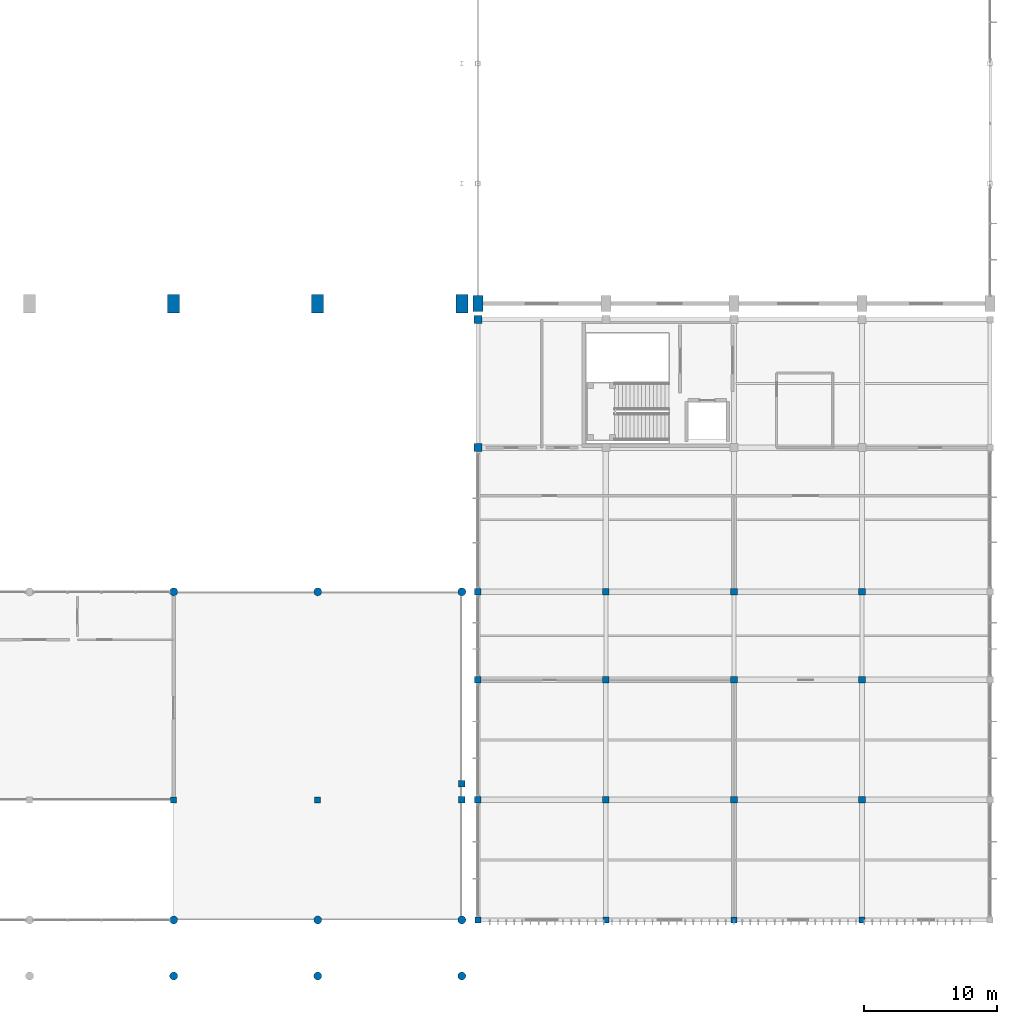
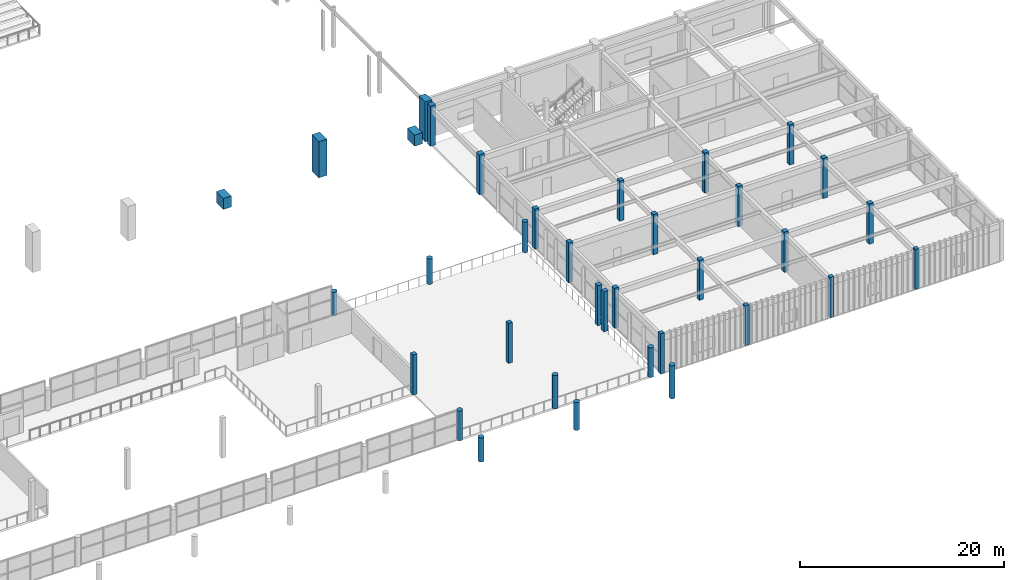
# One storey, part 6 of 74: 35 columns.
"""IFC4 building model written with IfcOpenShell, lengths in metres."""

from ifc_helpers import new_model, si_unit, direction, frame, origin, origin_2d, place, context, subcontext, project, spatial, rectangle, circle, extrude, material, material_profile, profile_set, type_object, element, save


model = new_model("IFC4")

# Units and contexts
model_context = context("Model", 3, precision=1e-05, world=origin(), true_north=direction((0.0, 1.0)))
body_context = subcontext(model_context, "Body", "Model", "MODEL_VIEW")
ifc_project = project(units=[si_unit("LENGTHUNIT", "METRE"), si_unit("AREAUNIT", "SQUARE_METRE"), si_unit("VOLUMEUNIT", "CUBIC_METRE"), si_unit("PLANEANGLEUNIT", "RADIAN"), si_unit("MASSUNIT", "GRAM", prefix="KILO")], contexts=[model_context])

# Site, building, storey
site_placement = place(None, origin())
site = spatial("IfcSite", under=ifc_project, at=site_placement, CompositionType="ELEMENT")
building_placement = place(site_placement, origin())
building = spatial("IfcBuilding", under=site, at=building_placement, Name="Suirenkawa Promenade Aquatics Centre", CompositionType="ELEMENT")
storey_placement = place(building_placement, frame((0.0, 0.0, 4.800048828125)))
storey = spatial("IfcBuildingStorey", under=building, at=storey_placement, Name="L01", CompositionType="ELEMENT", Elevation=4.800048828125)

# Columns
ifc_material = material(Name="Concrete M40", Category="concrete")
ifc_material_profile_1 = material_profile(ifc_material, circle(Radius=0.300048828125, at=origin_2d()), Name="RC FOYER D600", Category="concrete")
ifc_profile_set_1 = profile_set([ifc_material_profile_1], Name="Concrete M40")
column_type_1 = type_object("IfcColumnType", Name="CT-FOYER-D600", PredefinedType="COLUMN", material=ifc_profile_set_1)
column_1_placement = place(storey_placement, frame((133.199951171875, 0.0, 0.0), z_axis=(0.0, 0.0, 1.0), x_axis=(1.0, 0.0, 0.0)))
element("IfcColumn", 1, at=column_1_placement, inside=storey, type_object=column_type_1, Name="Column CL-11 COL-0865", PredefinedType="COLUMN", context=body_context, shape_type="SweptSolid", body=[
    extrude(circle(Radius=0.300048828125, at=origin_2d()), origin(), (0.0, 0.0, 1.0), 2.875),
])
column_2_placement = place(storey_placement, frame((133.199951171875, 4.199951171875, 0.0), z_axis=(0.0, 0.0, 1.0), x_axis=(1.0, 0.0, 0.0)))
element("IfcColumn", 2, at=column_2_placement, inside=storey, type_object=column_type_1, Name="Column CL-11 COL-0868", PredefinedType="COLUMN", context=body_context, shape_type="SweptSolid", body=[
    extrude(circle(Radius=0.300048828125, at=origin_2d()), origin(), (0.0, 0.0, 1.0), 3.550048828125),
])
column_3_placement = place(storey_placement, frame((133.199951171875, 28.800048828125, 0.0), z_axis=(0.0, 0.0, 1.0), x_axis=(1.0, 0.0, 0.0)))
element("IfcColumn", 3, at=column_3_placement, inside=storey, type_object=column_type_1, Name="Column CL-11 COL-0874", PredefinedType="COLUMN", context=body_context, shape_type="SweptSolid", body=[
    extrude(circle(Radius=0.300048828125, at=origin_2d()), origin(), (0.0, 0.0, 1.0), 2.8349609375),
])
column_4_placement = place(storey_placement, frame((144.0, 0.0, 0.0), z_axis=(0.0, 0.0, 1.0), x_axis=(1.0, 0.0, 0.0)))
element("IfcColumn", 4, at=column_4_placement, inside=storey, type_object=column_type_1, Name="Column CL-11 COL-0877", PredefinedType="COLUMN", context=body_context, shape_type="SweptSolid", body=[
    extrude(circle(Radius=0.300048828125, at=origin_2d()), origin(), (0.0, 0.0, 1.0), 3.324951171875),
])
column_5_placement = place(storey_placement, frame((144.0, 4.199951171875, 0.0), z_axis=(0.0, 0.0, 1.0), x_axis=(1.0, 0.0, 0.0)))
element("IfcColumn", 5, at=column_5_placement, inside=storey, type_object=column_type_1, Name="Column CL-11 COL-0880", PredefinedType="COLUMN", context=body_context, shape_type="SweptSolid", body=[
    extrude(circle(Radius=0.300048828125, at=origin_2d()), origin(), (0.0, 0.0, 1.0), 4.0),
])
column_6_placement = place(storey_placement, frame((144.0, 28.800048828125, 0.0), z_axis=(0.0, 0.0, 1.0), x_axis=(1.0, 0.0, 0.0)))
element("IfcColumn", 6, at=column_6_placement, inside=storey, type_object=column_type_1, Name="Column CL-11 COL-0886", PredefinedType="COLUMN", context=body_context, shape_type="SweptSolid", body=[
    extrude(circle(Radius=0.300048828125, at=origin_2d()), origin(), (0.0, 0.0, 1.0), 3.02490234375),
])
column_7_placement = place(storey_placement, frame((154.800048828125, 0.0, 0.0), z_axis=(0.0, 0.0, 1.0), x_axis=(1.0, 0.0, 0.0)))
element("IfcColumn", 7, at=column_7_placement, inside=storey, type_object=column_type_1, Name="Column CL-11 COL-0889", PredefinedType="COLUMN", context=body_context, shape_type="SweptSolid", body=[
    extrude(circle(Radius=0.300048828125, at=origin_2d()), origin(), (0.0, 0.0, 1.0), 3.949951171875),
])
column_8_placement = place(storey_placement, frame((154.800048828125, 4.199951171875, 0.0), z_axis=(0.0, 0.0, 1.0), x_axis=(1.0, 0.0, 0.0)))
element("IfcColumn", 8, at=column_8_placement, inside=storey, type_object=column_type_1, Name="Column CL-11 COL-0892", PredefinedType="COLUMN", context=body_context, shape_type="SweptSolid", body=[
    extrude(circle(Radius=0.300048828125, at=origin_2d()), origin(), (0.0, 0.0, 1.0), 3.550048828125),
])
column_9_placement = place(storey_placement, frame((154.800048828125, 28.800048828125, 0.0), z_axis=(0.0, 0.0, 1.0), x_axis=(1.0, 0.0, 0.0)))
element("IfcColumn", 9, at=column_9_placement, inside=storey, type_object=column_type_1, Name="Column CL-11 COL-0895", PredefinedType="COLUMN", context=body_context, shape_type="SweptSolid", body=[
    extrude(circle(Radius=0.300048828125, at=origin_2d()), origin(), (0.0, 0.0, 1.0), 3.64990234375),
])
ifc_material_profile_2 = material_profile(ifc_material, rectangle(XDim=0.75, YDim=1.199951171875, at=origin_2d()), Name="RC PIER 750x1200", Category="concrete")
ifc_profile_set_2 = profile_set([ifc_material_profile_2], Name="Concrete M40")
column_type_2 = type_object("IfcColumnType", Name="CT-PIER-750x1200", PredefinedType="COLUMN", material=ifc_profile_set_2)
column_10_placement = place(storey_placement, frame((156.0, 50.39990234375, 0.0), z_axis=(0.0, 0.0, 1.0), x_axis=(1.0, 0.0, 0.0)))
element("IfcColumn", 10, at=column_10_placement, inside=storey, type_object=column_type_2, Name="Column CL-08 COL-0082", PredefinedType="COLUMN", context=body_context, shape_type="SweptSolid", body=[
    extrude(rectangle(XDim=0.75, YDim=1.199951171875, at=origin_2d()), origin(), (0.0, 0.0, 1.0), 4.800048828125),
])
ifc_material_profile_3 = material_profile(ifc_material, rectangle(XDim=0.89990234375, YDim=1.39990234375, at=origin_2d()), Name="RC PIER 900x1400", Category="concrete")
ifc_profile_set_3 = profile_set([ifc_material_profile_3], Name="Concrete M40")
column_type_3 = type_object("IfcColumnType", Name="CT-PIER-900x1400", PredefinedType="COLUMN", material=ifc_profile_set_3)
column_11_placement = place(storey_placement, frame((133.199951171875, 50.39990234375, 0.0), z_axis=(0.0, 0.0, 1.0), x_axis=(1.0, 0.0, 0.0)))
element("IfcColumn", 11, at=column_11_placement, inside=storey, type_object=column_type_3, Name="Column CL-09 COL-0144", PredefinedType="COLUMN", context=body_context, shape_type="SweptSolid", body=[
    extrude(rectangle(XDim=0.89990234375, YDim=1.39990234375, at=origin_2d()), origin(), (0.0, 0.0, 1.0), 1.324951171875),
])
column_12_placement = place(storey_placement, frame((144.0, 50.39990234375, 0.0), z_axis=(0.0, 0.0, 1.0), x_axis=(1.0, 0.0, 0.0)))
element("IfcColumn", 12, at=column_12_placement, inside=storey, type_object=column_type_3, Name="Column CL-09 COL-0150", PredefinedType="COLUMN", context=body_context, shape_type="SweptSolid", body=[
    extrude(rectangle(XDim=0.89990234375, YDim=1.39990234375, at=origin_2d()), origin(), (0.0, 0.0, 1.0), 4.324951171875),
])
column_13_placement = place(storey_placement, frame((154.800048828125, 50.39990234375, 0.0), z_axis=(0.0, 0.0, 1.0), x_axis=(1.0, 0.0, 0.0)))
element("IfcColumn", 13, at=column_13_placement, inside=storey, type_object=column_type_3, Name="Column CL-09 COL-0156", PredefinedType="COLUMN", context=body_context, shape_type="SweptSolid", body=[
    extrude(rectangle(XDim=0.89990234375, YDim=1.39990234375, at=origin_2d()), origin(), (0.0, 0.0, 1.0), 1.324951171875),
])
ifc_material_profile_4 = material_profile(ifc_material, rectangle(XDim=0.449951171875, YDim=0.449951171875, at=origin_2d()), Name="RC COL 450x450", Category="concrete")
ifc_profile_set_4 = profile_set([ifc_material_profile_4], Name="Concrete M40")
column_type_4 = type_object("IfcColumnType", Name="CT-RC-450", PredefinedType="COLUMN", material=ifc_profile_set_4)
for number, where, z_axis, x_axis, name in (
    (14, (133.199951171875, 13.199951171875, 0.0), (0.0, 0.0, 1.0), (1.0, 0.0, 0.0), "Column CL-01 COL-0871"),
    (15, (144.0, 13.199951171875, 0.0), (0.0, 0.0, 1.0), (1.0, 0.0, 0.0), "Column CL-01 COL-0883"),
    (16, (156.0, 4.199951171875, 0.0), (0.0, 0.0, 1.0), (1.0, 0.0, 0.0), "Column CL-01 COL-0922"),
    (17, (165.60009765625, 4.199951171875, 0.0), (0.0, 0.0, 1.0), (1.0, 0.0, 0.0), "Column CL-01 COL-0925"),
    (18, (175.199951171875, 4.199951171875, 0.0), (0.0, 0.0, 1.0), (1.0, 0.0, 0.0), "Column CL-01 COL-0928"),
    (19, (184.800048828125, 4.199951171875, 0.0), (0.0, 0.0, 1.0), (1.0, 0.0, 0.0), "Column CL-01 COL-0931"),
):
    element("IfcColumn", number, at=place(storey_placement, frame(where, z_axis=z_axis, x_axis=x_axis)), inside=storey, type_object=column_type_4, Name=name, PredefinedType="COLUMN", context=body_context, shape_type="SweptSolid", body=[
        extrude(rectangle(XDim=0.449951171875, YDim=0.449951171875, at=origin_2d()), origin(), (0.0, 0.0, 1.0), 4.800048828125),
    ])
ifc_material_profile_5 = material_profile(ifc_material, rectangle(XDim=0.5, YDim=0.5, at=origin_2d()), Name="RC COL 500x500", Category="concrete")
ifc_profile_set_5 = profile_set([ifc_material_profile_5], Name="Concrete M40")
column_type_5 = type_object("IfcColumnType", Name="CT-RC-500", PredefinedType="COLUMN", material=ifc_profile_set_5)
for number, where, z_axis, x_axis, name in (
    (20, (154.800048828125, 13.199951171875, 0.0), (0.0, 0.0, 1.0), (1.0, 0.0, 0.0), "Column CL-02 COL-0642"),
    (21, (154.800048828125, 14.39990234375, 0.0), (0.0, 0.0, 1.0), (1.0, 0.0, 0.0), "Column CL-02 COL-0646"),
    (22, (156.0, 13.199951171875, 0.0), (0.0, 0.0, 1.0), (1.0, 0.0, 0.0), "Column CL-02 COL-0650"),
    (23, (156.0, 22.199951171875, 0.0), (0.0, 0.0, 1.0), (1.0, 0.0, 0.0), "Column CL-02 COL-0654"),
    (24, (156.0, 28.800048828125, 0.0), (0.0, 0.0, 1.0), (1.0, 0.0, 0.0), "Column CL-02 COL-0658"),
    (25, (165.60009765625, 13.199951171875, 0.0), (0.0, 0.0, 1.0), (1.0, 0.0, 0.0), "Column CL-02 COL-0662"),
    (26, (165.60009765625, 22.199951171875, 0.0), (0.0, 0.0, 1.0), (1.0, 0.0, 0.0), "Column CL-02 COL-0666"),
    (27, (165.60009765625, 28.800048828125, 0.0), (0.0, 0.0, 1.0), (1.0, 0.0, 0.0), "Column CL-02 COL-0670"),
    (28, (175.199951171875, 13.199951171875, 0.0), (0.0, 0.0, 1.0), (1.0, 0.0, 0.0), "Column CL-02 COL-0674"),
    (29, (175.199951171875, 22.199951171875, 0.0), (0.0, 0.0, 1.0), (1.0, 0.0, 0.0), "Column CL-02 COL-0678"),
    (30, (175.199951171875, 28.800048828125, 0.0), (0.0, 0.0, 1.0), (1.0, 0.0, 0.0), "Column CL-02 COL-0682"),
    (31, (184.800048828125, 13.199951171875, 0.0), (0.0, 0.0, 1.0), (1.0, 0.0, 0.0), "Column CL-02 COL-0686"),
    (32, (184.800048828125, 22.199951171875, 0.0), (0.0, 0.0, 1.0), (1.0, 0.0, 0.0), "Column CL-02 COL-0690"),
    (33, (184.800048828125, 28.800048828125, 0.0), (0.0, 0.0, 1.0), (1.0, 0.0, 0.0), "Column CL-02 COL-0694"),
):
    element("IfcColumn", number, at=place(storey_placement, frame(where, z_axis=z_axis, x_axis=x_axis)), inside=storey, type_object=column_type_5, Name=name, PredefinedType="COLUMN", context=body_context, shape_type="SweptSolid", body=[
        extrude(rectangle(XDim=0.5, YDim=0.5, at=origin_2d()), origin(), (0.0, 0.0, 1.0), 4.800048828125),
    ])
ifc_material_profile_6 = material_profile(ifc_material, rectangle(XDim=0.60009765625, YDim=0.60009765625, at=origin_2d()), Name="RC COL 600x600", Category="concrete")
ifc_profile_set_6 = profile_set([ifc_material_profile_6], Name="Concrete M40")
column_type_6 = type_object("IfcColumnType", Name="CT-RC-600", PredefinedType="COLUMN", material=ifc_profile_set_6)
for number, where, z_axis, x_axis, name in (
    (34, (156.0, 39.60009765625, 0.0), (0.0, 0.0, 1.0), (1.0, 0.0, 0.0), "Column CL-03 COL-0454"),
    (35, (156.0, 49.199951171875, 0.0), (0.0, 0.0, 1.0), (1.0, 0.0, 0.0), "Column CL-03 COL-0459"),
):
    element("IfcColumn", number, at=place(storey_placement, frame(where, z_axis=z_axis, x_axis=x_axis)), inside=storey, type_object=column_type_6, Name=name, PredefinedType="COLUMN", context=body_context, shape_type="SweptSolid", body=[
        extrude(rectangle(XDim=0.60009765625, YDim=0.60009765625, at=origin_2d()), origin(), (0.0, 0.0, 1.0), 4.800048828125),
    ])

save(model, "model.ifc")
